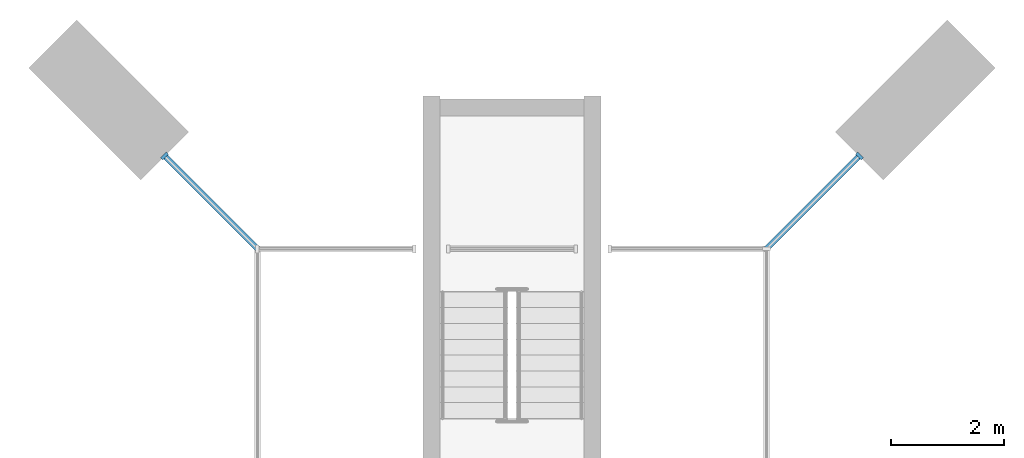
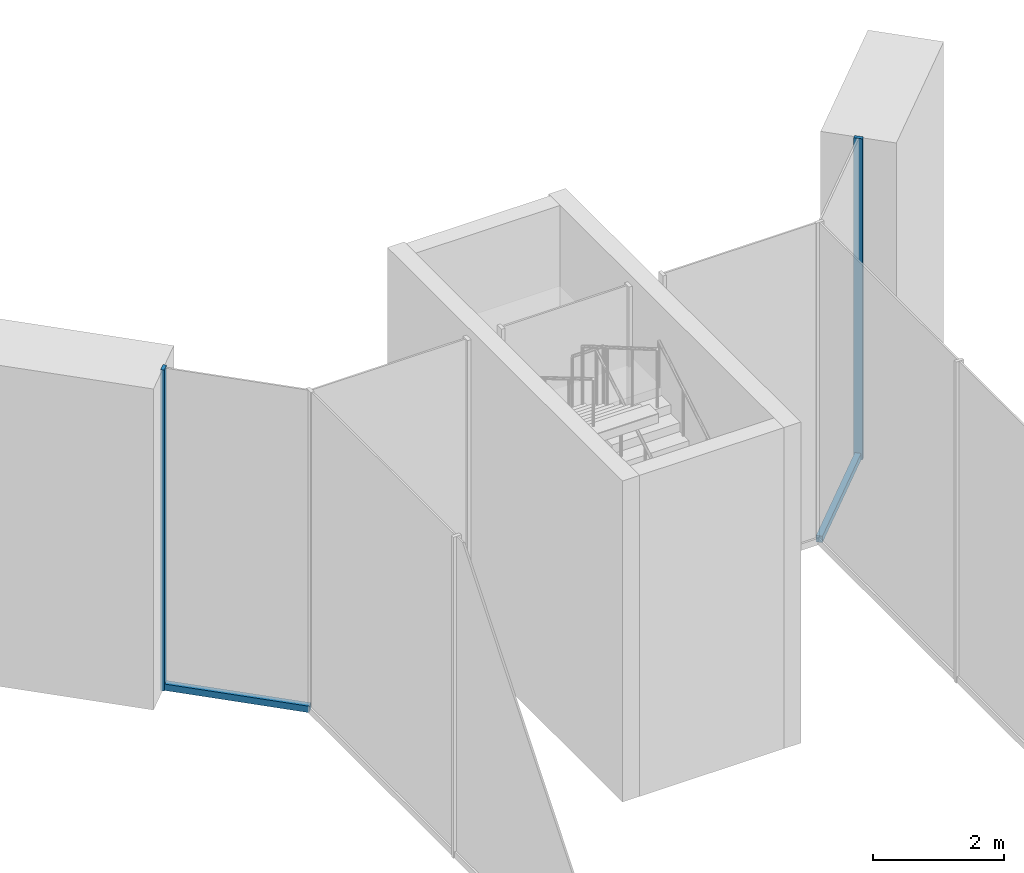
# One storey, part 7 of 19: 4 members, 2 elements without a shape of their own.
"""IFC4 building model written with IfcOpenShell, lengths in metres."""

from ifc_helpers import new_model, si_unit, direction, frame, origin, origin_2d, place, context, subcontext, project, spatial, rectangle, extrude, material, layer, layer_set, material_profile, profile_set, type_object, element, aggregate, save


model = new_model("IFC4")

# Units and contexts
model_context = context("Model", 3, precision=1e-05, world=origin(), true_north=direction((0.0, 1.0)))
body_context = subcontext(model_context, "Body", "Model", "MODEL_VIEW")
ifc_project = project(units=[si_unit("LENGTHUNIT", "METRE"), si_unit("AREAUNIT", "SQUARE_METRE"), si_unit("VOLUMEUNIT", "CUBIC_METRE"), si_unit("PLANEANGLEUNIT", "RADIAN"), si_unit("MASSUNIT", "GRAM", prefix="KILO")], contexts=[model_context])

# Site, building, storey
site_placement = place(None, origin())
site = spatial("IfcSite", under=ifc_project, at=site_placement, CompositionType="ELEMENT")
building_placement = place(site_placement, origin())
building = spatial("IfcBuilding", under=site, at=building_placement, Name="Plateau Cross Towers", CompositionType="ELEMENT")
storey_placement = place(building_placement, frame((0.0, 0.0, 128.60009765625)))
storey = spatial("IfcBuildingStorey", under=building, at=storey_placement, Name="L33", CompositionType="ELEMENT", Elevation=128.60009765625)

# Curtain wall, member
ifc_material_1 = material(Name="Dark low-iron glass", Category="glass")
ifc_layer = layer(ifc_material_1, 0.239990234375)
ifc_layer_set = layer_set([ifc_layer], Name="Dark low-iron glass")
curtain_wall_type = type_object("IfcCurtainWallType", Name="Curtain wall flush unitised CW-B", PredefinedType="NOTDEFINED", material=ifc_layer_set)
curtain_wall_1_placement = place(storey_placement, origin())
curtain_wall_1 = element("IfcCurtainWall", 1, at=curtain_wall_1_placement, inside=storey, type_object=curtain_wall_type, Name="ENV/A/L33/sky151_511_135_495", PredefinedType="NOTDEFINED")
ifc_material_2 = material(Name="Black anodised aluminium", Category="aluminium")
ifc_material_profile_1 = material_profile(ifc_material_2, rectangle(XDim=0.06005859375, YDim=0.139892578125, at=origin_2d()), Name="MULLION 60x140")
ifc_profile_set_1 = profile_set([ifc_material_profile_1], Name="Black anodised aluminium")
member_type_1 = type_object("IfcMemberType", Name="Mullion 60x140 flush unitised", PredefinedType="MULLION", material=ifc_profile_set_1)
member_1_placement = place(storey_placement, frame((15.141357421875, 51.141357421875, 0.0), z_axis=(0.0, 0.0, 1.0), x_axis=(-0.707106781187, -0.707106781187, 0.0)))
member_1 = element("IfcMember", 2, at=member_1_placement, type_object=member_type_1, Name="CW-B mullion 1", PredefinedType="MULLION", context=body_context, shape_type="SweptSolid", body=[
    extrude(rectangle(XDim=0.06005859375, YDim=0.139892578125, at=origin_2d()), origin(), (0.0, 0.0, 1.0), 6.0),
])

curtain_wall_2_placement = place(storey_placement, origin())
curtain_wall_2 = element("IfcCurtainWall", 3, at=curtain_wall_2_placement, inside=storey, type_object=curtain_wall_type, Name="ENV/A/L33/sky29_511_45_495", PredefinedType="NOTDEFINED")
member_2_placement = place(storey_placement, frame((2.858642578125, 51.141357421875, 0.0), z_axis=(0.0, 0.0, 1.0), x_axis=(0.707106781187, -0.707106781187, 0.0)))
member_2 = element("IfcMember", 4, at=member_2_placement, type_object=member_type_1, Name="CW-B mullion 1", PredefinedType="MULLION", context=body_context, shape_type="SweptSolid", body=[
    extrude(rectangle(XDim=0.06005859375, YDim=0.139892578125, at=origin_2d()), origin(), (0.0, 0.0, 1.0), 6.0),
])

# Member
ifc_material_profile_2 = material_profile(ifc_material_2, rectangle(XDim=0.10009765625, YDim=0.1201171875, at=origin_2d()), Name="TRANSOM 100x120")
ifc_profile_set_2 = profile_set([ifc_material_profile_2], Name="Black anodised aluminium")
member_type_2 = type_object("IfcMemberType", Name="Transom 100x120 flush unitised", PredefinedType="USERDEFINED", material=ifc_profile_set_2)
member_3_placement = place(storey_placement, frame((15.141357421875, 51.141357421875, 0.059814453125), z_axis=(-0.707106781187, -0.707106781187, 0.0), x_axis=(0.707106781187, -0.707106781187, 0.0)))
member_3 = element("IfcMember", 5, at=member_3_placement, type_object=member_type_2, Name="CW-B transom", ObjectType="TRANSOM", PredefinedType="USERDEFINED", context=body_context, shape_type="SweptSolid", body=[
    extrude(rectangle(XDim=0.10009765625, YDim=0.1201171875, at=origin_2d()), origin(), (0.0, 0.0, 1.0), 2.3212890625),
])

aggregate(curtain_wall_1, [member_1, member_3])

member_4_placement = place(storey_placement, frame((2.858642578125, 51.141357421875, 0.059814453125), z_axis=(0.707106781187, -0.707106781187, 0.0), x_axis=(0.707106781187, 0.707106781187, 0.0)))
member_4 = element("IfcMember", 6, at=member_4_placement, type_object=member_type_2, Name="CW-B transom", ObjectType="TRANSOM", PredefinedType="USERDEFINED", context=body_context, shape_type="SweptSolid", body=[
    extrude(rectangle(XDim=0.10009765625, YDim=0.1201171875, at=origin_2d()), origin(), (0.0, 0.0, 1.0), 2.3212890625),
])

aggregate(curtain_wall_2, [member_2, member_4])

save(model, "model.ifc")
